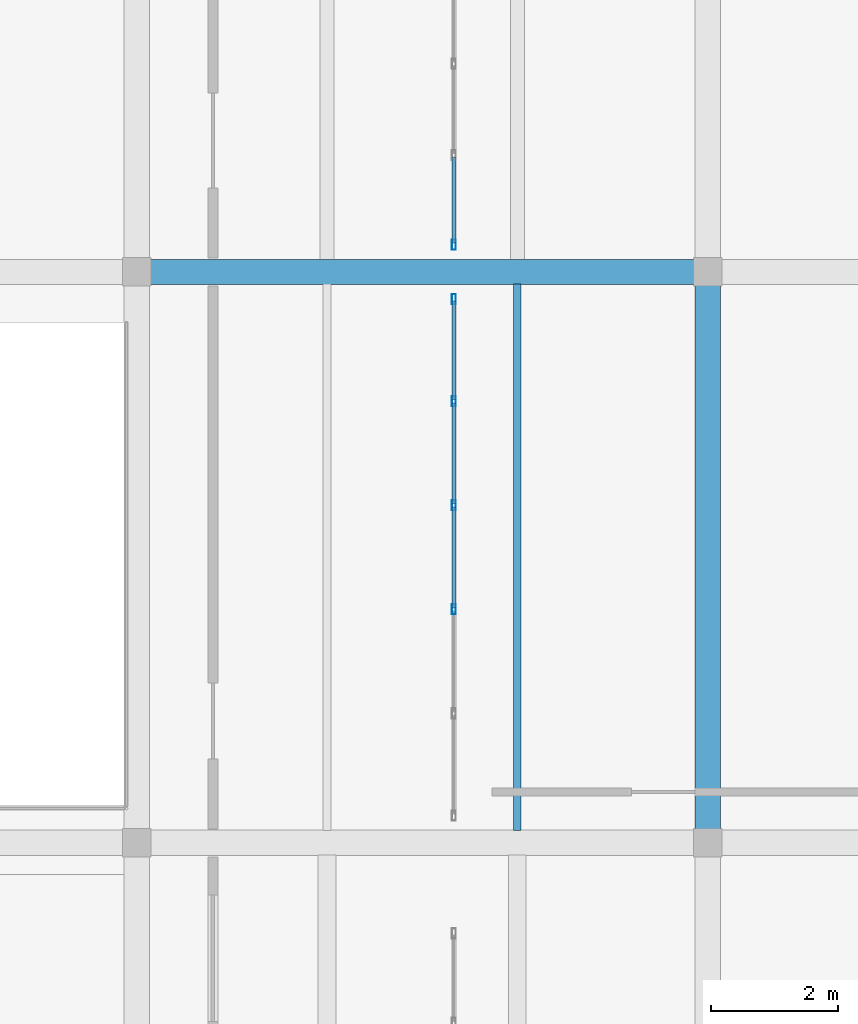
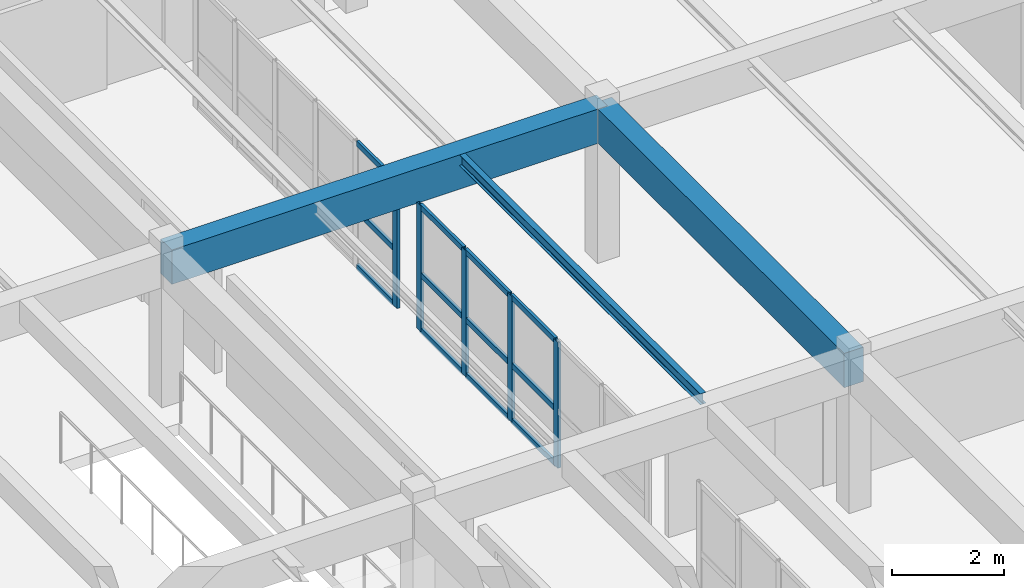
# One storey, part 43 of 80: 17 members, 3 beams, 2 elements without a shape of their own.
"""IFC4 building model written with IfcOpenShell, lengths in metres."""

from ifc_helpers import new_model, si_unit, direction, frame, origin, origin_2d, place, context, subcontext, project, spatial, rectangle, hollow_rectangle, i_section, extrude, material, layer, layer_set, material_profile, profile_set, type_object, element, aggregate, save


model = new_model("IFC4")

# Units and contexts
model_context = context("Model", 3, precision=1e-05, world=origin(), true_north=direction((0.0, 1.0)))
body_context = subcontext(model_context, "Body", "Model", "MODEL_VIEW")
ifc_project = project(units=[si_unit("LENGTHUNIT", "METRE"), si_unit("AREAUNIT", "SQUARE_METRE"), si_unit("VOLUMEUNIT", "CUBIC_METRE"), si_unit("PLANEANGLEUNIT", "RADIAN"), si_unit("MASSUNIT", "GRAM", prefix="KILO")], contexts=[model_context])

# Site, building, storey
site_placement = place(None, origin())
site = spatial("IfcSite", under=ifc_project, at=site_placement, CompositionType="ELEMENT")
building_placement = place(site_placement, origin())
building = spatial("IfcBuilding", under=site, at=building_placement, Name="Ornek Quay Market", CompositionType="ELEMENT")
storey_placement = place(building_placement, frame((0.0, 0.0, 8.39990234375)))
storey = spatial("IfcBuildingStorey", under=building, at=storey_placement, Name="L02", CompositionType="ELEMENT", Elevation=8.39990234375)

# Beams
ifc_material_1 = material(Name="Concrete C35/45", Category="concrete")
ifc_material_profile_1 = material_profile(ifc_material_1, rectangle(XDim=0.39990234375, YDim=0.75, at=origin_2d()), Name="RC 400x750", Category="concrete")
ifc_profile_set_1 = profile_set([ifc_material_profile_1], Name="Concrete C35/45")
beam_type_1 = type_object("IfcBeamType", Name="BM-CS-400x750", PredefinedType="BEAM", material=ifc_profile_set_1)
for number, where, z_axis, x_axis, name in (
    (1, (162.0, 56.0, 2.97509765625), (1.0, 0.0, 0.0), (0.0, 1.0, 0.0), "Primary beam B-CS1-067"),
    (2, (171.0, 47.0, 2.97509765625), (0.0, 1.0, 0.0), (-1.0, 0.0, 0.0), "Primary beam B-CS1-079"),
):
    element("IfcBeam", number, at=place(storey_placement, frame(where, z_axis=z_axis, x_axis=x_axis)), inside=storey, type_object=beam_type_1, Name=name, PredefinedType="BEAM", context=body_context, shape_type="SweptSolid", body=[
        extrude(rectangle(XDim=0.39990234375, YDim=0.75, at=origin_2d()), origin(), (0.0, 0.0, 1.0), 9.0),
    ])
ifc_material_2 = material(Name="Steel S355", Category="steel")
ifc_material_profile_2 = material_profile(ifc_material_2, i_section(OverallWidth=0.1201171875, OverallDepth=0.239990234375, WebThickness=0.006103515625, FlangeThickness=0.009765625, FilletRadius=0.014892578125, at=origin_2d()), Name="IPE 240", Category="steel")
ifc_profile_set_2 = profile_set([ifc_material_profile_2], Name="Steel S355")
beam_type_2 = type_object("IfcBeamType", Name="BM-STL-IPE240", PredefinedType="JOIST", material=ifc_profile_set_2)
beam_placement = place(storey_placement, frame((168.0, 47.19189453125, 3.22998046875), z_axis=(0.0, 1.0, 0.0), x_axis=(-1.0, 0.0, 0.0)))
element("IfcBeam", 3, at=beam_placement, inside=storey, type_object=beam_type_2, Name="Secondary joist SB-04-060", PredefinedType="JOIST", context=body_context, shape_type="SweptSolid", body=[
    extrude(i_section(OverallWidth=0.1201171875, OverallDepth=0.239990234375, WebThickness=0.006103515625, FlangeThickness=0.009765625, FilletRadius=0.014892578125, at=origin_2d()), origin(), (0.0, 0.0, 1.0), 8.6162109375),
])

# Curtain wall, members
ifc_material_3 = material(Name="Anodised bronze aluminium and triple low-e glass", Category="aluminium")
ifc_layer = layer(ifc_material_3, 0.139892578125, Name="Anodised bronze aluminium and triple low-e glass", Category="aluminium")
ifc_layer_set = layer_set([ifc_layer], Name="Anodised bronze aluminium and triple low-e glass")
curtain_wall_type = type_object("IfcCurtainWallType", Name="CW-GALLERY-INT", PredefinedType="USERDEFINED", material=ifc_layer_set)
curtain_wall_1_placement = place(storey_placement, origin())
curtain_wall_1 = element("IfcCurtainWall", 4, at=curtain_wall_1_placement, inside=storey, type_object=curtain_wall_type, Name="Curtain wall CW-169", ObjectType="CURTAIN WALL", PredefinedType="USERDEFINED")
ifc_material_4 = material(Name="Anodised aluminium 6063-T6", Category="aluminium")
ifc_material_profile_3 = material_profile(ifc_material_4, hollow_rectangle(XDim=0.06005859375, YDim=0.159912109375, WallThickness=0.00390625, at=origin_2d()), Name="CW-MUL-60x160", Category="aluminium")
ifc_profile_set_3 = profile_set([ifc_material_profile_3], Name="Anodised aluminium 6063-T6")
member_type_1 = type_object("IfcMemberType", Name="CW-MUL-60x160", PredefinedType="MULLION", material=ifc_profile_set_3)
member_1_placement = place(storey_placement, frame((167.0, 50.679931640625, 0.0), z_axis=(0.0, 0.0, 1.0), x_axis=(-1.0, 0.0, 0.0)))
member_1 = element("IfcMember", 5, at=member_1_placement, type_object=member_type_1, Name="CW-169 mullion 3", PredefinedType="MULLION", context=body_context, shape_type="SweptSolid", body=[
    extrude(hollow_rectangle(XDim=0.06005859375, YDim=0.159912109375, WallThickness=0.00390625, at=origin_2d()), origin(), (0.0, 0.0, 1.0), 2.75),
])
member_2_placement = place(storey_placement, frame((167.0, 52.320068359375, 0.0), z_axis=(0.0, 0.0, 1.0), x_axis=(-1.0, 0.0, 0.0)))
member_2 = element("IfcMember", 6, at=member_2_placement, type_object=member_type_1, Name="CW-169 mullion 4", PredefinedType="MULLION", context=body_context, shape_type="SweptSolid", body=[
    extrude(hollow_rectangle(XDim=0.06005859375, YDim=0.159912109375, WallThickness=0.00390625, at=origin_2d()), origin(), (0.0, 0.0, 1.0), 2.75),
])
member_3_placement = place(storey_placement, frame((167.0, 53.9599609375, 0.0), z_axis=(0.0, 0.0, 1.0), x_axis=(-1.0, 0.0, 0.0)))
member_3 = element("IfcMember", 7, at=member_3_placement, type_object=member_type_1, Name="CW-169 mullion 5", PredefinedType="MULLION", context=body_context, shape_type="SweptSolid", body=[
    extrude(hollow_rectangle(XDim=0.06005859375, YDim=0.159912109375, WallThickness=0.00390625, at=origin_2d()), origin(), (0.0, 0.0, 1.0), 2.75),
])
member_4_placement = place(storey_placement, frame((167.0, 55.570068359375, 0.0), z_axis=(0.0, 0.0, 1.0), x_axis=(-1.0, 0.0, 0.0)))
member_4 = element("IfcMember", 8, at=member_4_placement, type_object=member_type_1, Name="CW-169 mullion 6", PredefinedType="MULLION", context=body_context, shape_type="SweptSolid", body=[
    extrude(hollow_rectangle(XDim=0.06005859375, YDim=0.159912109375, WallThickness=0.00390625, at=origin_2d()), origin(), (0.0, 0.0, 1.0), 2.75),
])

# Curtain wall, member
curtain_wall_2_placement = place(storey_placement, origin())
curtain_wall_2 = element("IfcCurtainWall", 9, at=curtain_wall_2_placement, inside=storey, type_object=curtain_wall_type, Name="Curtain wall CW-170", ObjectType="CURTAIN WALL", PredefinedType="USERDEFINED")
member_5_placement = place(storey_placement, frame((167.0, 56.429931640625, 0.0), z_axis=(0.0, 0.0, 1.0), x_axis=(-1.0, 0.0, 0.0)))
member_5 = element("IfcMember", 10, at=member_5_placement, type_object=member_type_1, Name="CW-170 mullion 1", PredefinedType="MULLION", context=body_context, shape_type="SweptSolid", body=[
    extrude(hollow_rectangle(XDim=0.06005859375, YDim=0.159912109375, WallThickness=0.00390625, at=origin_2d()), origin(), (0.0, 0.0, 1.0), 2.75),
])

# Member
ifc_material_profile_4 = material_profile(ifc_material_4, hollow_rectangle(XDim=0.06005859375, YDim=0.1201171875, WallThickness=0.00390625, at=origin_2d()), Name="CW-TRN-60x120", Category="aluminium")
ifc_profile_set_4 = profile_set([ifc_material_profile_4], Name="Anodised aluminium 6063-T6")
member_type_2 = type_object("IfcMemberType", Name="CW-TRN-60x120", PredefinedType="USERDEFINED", material=ifc_profile_set_4)
member_6_placement = place(storey_placement, frame((167.0, 50.7099609375, 0.030029296875), z_axis=(0.0, 1.0, 0.0), x_axis=(-1.0, 0.0, 0.0)))
member_6 = element("IfcMember", 11, at=member_6_placement, type_object=member_type_2, Name="CW-169 transom 3.1", ObjectType="TRANSOM", PredefinedType="USERDEFINED", context=body_context, shape_type="SweptSolid", body=[
    extrude(hollow_rectangle(XDim=0.06005859375, YDim=0.1201171875, WallThickness=0.00390625, at=origin_2d()), origin(), (0.0, 0.0, 1.0), 1.580078125),
])

member_7_placement = place(storey_placement, frame((167.0, 50.7099609375, 1.237548828125), z_axis=(0.0, 1.0, 0.0), x_axis=(-1.0, 0.0, 0.0)))
member_7 = element("IfcMember", 12, at=member_7_placement, type_object=member_type_2, Name="CW-169 transom 3.2", ObjectType="TRANSOM", PredefinedType="USERDEFINED", context=body_context, shape_type="SweptSolid", body=[
    extrude(hollow_rectangle(XDim=0.06005859375, YDim=0.1201171875, WallThickness=0.00390625, at=origin_2d()), origin(), (0.0, 0.0, 1.0), 1.580078125),
])

member_8_placement = place(storey_placement, frame((167.0, 50.7099609375, 2.72021484375), z_axis=(0.0, 1.0, 0.0), x_axis=(-1.0, 0.0, 0.0)))
member_8 = element("IfcMember", 13, at=member_8_placement, type_object=member_type_2, Name="CW-169 transom 3.3", ObjectType="TRANSOM", PredefinedType="USERDEFINED", context=body_context, shape_type="SweptSolid", body=[
    extrude(hollow_rectangle(XDim=0.06005859375, YDim=0.1201171875, WallThickness=0.00390625, at=origin_2d()), origin(), (0.0, 0.0, 1.0), 1.580078125),
])

member_9_placement = place(storey_placement, frame((167.0, 52.35009765625, 0.030029296875), z_axis=(0.0, 1.0, 0.0), x_axis=(-1.0, 0.0, 0.0)))
member_9 = element("IfcMember", 14, at=member_9_placement, type_object=member_type_2, Name="CW-169 transom 4.1", ObjectType="TRANSOM", PredefinedType="USERDEFINED", context=body_context, shape_type="SweptSolid", body=[
    extrude(hollow_rectangle(XDim=0.06005859375, YDim=0.1201171875, WallThickness=0.00390625, at=origin_2d()), origin(), (0.0, 0.0, 1.0), 1.579833984375),
])

member_10_placement = place(storey_placement, frame((167.0, 52.35009765625, 1.237548828125), z_axis=(0.0, 1.0, 0.0), x_axis=(-1.0, 0.0, 0.0)))
member_10 = element("IfcMember", 15, at=member_10_placement, type_object=member_type_2, Name="CW-169 transom 4.2", ObjectType="TRANSOM", PredefinedType="USERDEFINED", context=body_context, shape_type="SweptSolid", body=[
    extrude(hollow_rectangle(XDim=0.06005859375, YDim=0.1201171875, WallThickness=0.00390625, at=origin_2d()), origin(), (0.0, 0.0, 1.0), 1.579833984375),
])

member_11_placement = place(storey_placement, frame((167.0, 52.35009765625, 2.72021484375), z_axis=(0.0, 1.0, 0.0), x_axis=(-1.0, 0.0, 0.0)))
member_11 = element("IfcMember", 16, at=member_11_placement, type_object=member_type_2, Name="CW-169 transom 4.3", ObjectType="TRANSOM", PredefinedType="USERDEFINED", context=body_context, shape_type="SweptSolid", body=[
    extrude(hollow_rectangle(XDim=0.06005859375, YDim=0.1201171875, WallThickness=0.00390625, at=origin_2d()), origin(), (0.0, 0.0, 1.0), 1.579833984375),
])

member_12_placement = place(storey_placement, frame((167.0, 53.989990234375, 0.030029296875), z_axis=(0.0, 1.0, 0.0), x_axis=(-1.0, 0.0, 0.0)))
member_12 = element("IfcMember", 17, at=member_12_placement, type_object=member_type_2, Name="CW-169 transom 5.1", ObjectType="TRANSOM", PredefinedType="USERDEFINED", context=body_context, shape_type="SweptSolid", body=[
    extrude(hollow_rectangle(XDim=0.06005859375, YDim=0.1201171875, WallThickness=0.00390625, at=origin_2d()), origin(), (0.0, 0.0, 1.0), 1.550048828125),
])

member_13_placement = place(storey_placement, frame((167.0, 53.989990234375, 1.237548828125), z_axis=(0.0, 1.0, 0.0), x_axis=(-1.0, 0.0, 0.0)))
member_13 = element("IfcMember", 18, at=member_13_placement, type_object=member_type_2, Name="CW-169 transom 5.2", ObjectType="TRANSOM", PredefinedType="USERDEFINED", context=body_context, shape_type="SweptSolid", body=[
    extrude(hollow_rectangle(XDim=0.06005859375, YDim=0.1201171875, WallThickness=0.00390625, at=origin_2d()), origin(), (0.0, 0.0, 1.0), 1.550048828125),
])

member_14_placement = place(storey_placement, frame((167.0, 53.989990234375, 2.72021484375), z_axis=(0.0, 1.0, 0.0), x_axis=(-1.0, 0.0, 0.0)))
member_14 = element("IfcMember", 19, at=member_14_placement, type_object=member_type_2, Name="CW-169 transom 5.3", ObjectType="TRANSOM", PredefinedType="USERDEFINED", context=body_context, shape_type="SweptSolid", body=[
    extrude(hollow_rectangle(XDim=0.06005859375, YDim=0.1201171875, WallThickness=0.00390625, at=origin_2d()), origin(), (0.0, 0.0, 1.0), 1.550048828125),
])

aggregate(curtain_wall_1, [member_1, member_2, member_3, member_4, member_6, member_7, member_8, member_9, member_10, member_11, member_12, member_13, member_14])

member_15_placement = place(storey_placement, frame((167.0, 56.4599609375, 0.030029296875), z_axis=(0.0, 1.0, 0.0), x_axis=(-1.0, 0.0, 0.0)))
member_15 = element("IfcMember", 20, at=member_15_placement, type_object=member_type_2, Name="CW-170 transom 1.1", ObjectType="TRANSOM", PredefinedType="USERDEFINED", context=body_context, shape_type="SweptSolid", body=[
    extrude(hollow_rectangle(XDim=0.06005859375, YDim=0.1201171875, WallThickness=0.00390625, at=origin_2d()), origin(), (0.0, 0.0, 1.0), 1.35009765625),
])

member_16_placement = place(storey_placement, frame((167.0, 56.4599609375, 1.237548828125), z_axis=(0.0, 1.0, 0.0), x_axis=(-1.0, 0.0, 0.0)))
member_16 = element("IfcMember", 21, at=member_16_placement, type_object=member_type_2, Name="CW-170 transom 1.2", ObjectType="TRANSOM", PredefinedType="USERDEFINED", context=body_context, shape_type="SweptSolid", body=[
    extrude(hollow_rectangle(XDim=0.06005859375, YDim=0.1201171875, WallThickness=0.00390625, at=origin_2d()), origin(), (0.0, 0.0, 1.0), 1.35009765625),
])

member_17_placement = place(storey_placement, frame((167.0, 56.4599609375, 2.72021484375), z_axis=(0.0, 1.0, 0.0), x_axis=(-1.0, 0.0, 0.0)))
member_17 = element("IfcMember", 22, at=member_17_placement, type_object=member_type_2, Name="CW-170 transom 1.3", ObjectType="TRANSOM", PredefinedType="USERDEFINED", context=body_context, shape_type="SweptSolid", body=[
    extrude(hollow_rectangle(XDim=0.06005859375, YDim=0.1201171875, WallThickness=0.00390625, at=origin_2d()), origin(), (0.0, 0.0, 1.0), 1.35009765625),
])

aggregate(curtain_wall_2, [member_5, member_15, member_16, member_17])

save(model, "model.ifc")
